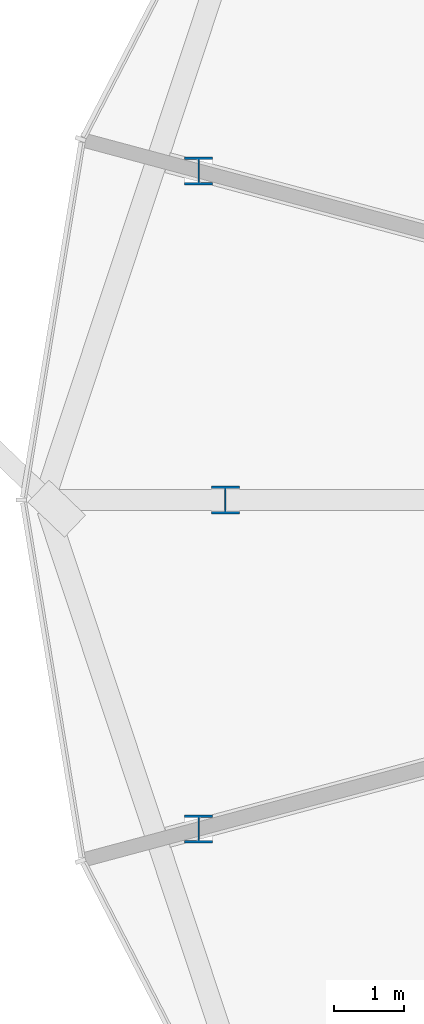
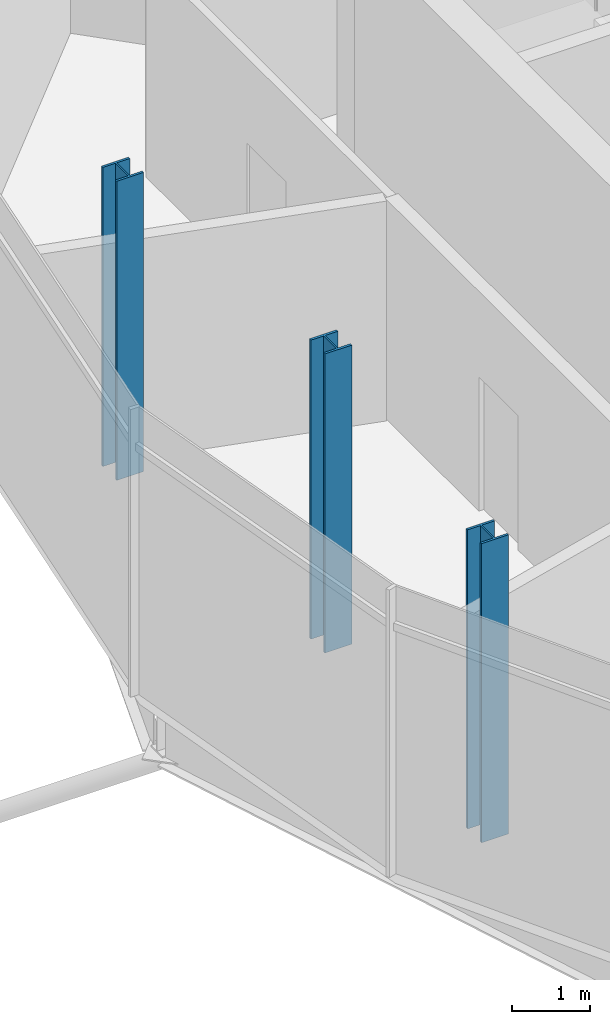
# One storey, part 1 of 31: 3 columns.
"""IFC4 building model written with IfcOpenShell, lengths in metres."""

from ifc_helpers import new_model, si_unit, direction, frame, origin, origin_2d, place, context, subcontext, project, spatial, i_section, extrude, material, material_profile, profile_set, type_object, element, save


model = new_model("IFC4")

# Units and contexts
model_context = context("Model", 3, precision=1e-05, world=origin(), true_north=direction((0.0, 1.0)))
body_context = subcontext(model_context, "Body", "Model", "MODEL_VIEW")
ifc_project = project(units=[si_unit("LENGTHUNIT", "METRE"), si_unit("AREAUNIT", "SQUARE_METRE"), si_unit("VOLUMEUNIT", "CUBIC_METRE"), si_unit("PLANEANGLEUNIT", "RADIAN"), si_unit("MASSUNIT", "GRAM", prefix="KILO")], contexts=[model_context])

# Site, building, storey
site_placement = place(None, origin())
site = spatial("IfcSite", under=ifc_project, at=site_placement, CompositionType="ELEMENT")
building_placement = place(site_placement, origin())
building = spatial("IfcBuilding", under=site, at=building_placement, Name="Rimbun Link Towers", CompositionType="ELEMENT")
storey_placement = place(building_placement, frame((0.0, 0.0, 263.10009765625)))
storey = spatial("IfcBuildingStorey", under=building, at=storey_placement, Name="L64", CompositionType="ELEMENT", Elevation=263.10009765625)

# Columns
ifc_material = material(Name="Steel S355J2", Category="steel")
ifc_material_profile = material_profile(ifc_material, i_section(OverallWidth=0.39892578125, OverallDepth=0.3935546875, WebThickness=0.022705078125, FlangeThickness=0.03662109375, at=origin_2d()), Name="UC 356x406x287")
ifc_profile_set = profile_set([ifc_material_profile], Name="Steel S355J2")
column_type = type_object("IfcColumnType", Name="UC 356x406x287", PredefinedType="COLUMN", material=ifc_profile_set)
for number, where, z_axis, x_axis, name in (
    (1, (-49.197998046875, 4.67529296875, -0.18017578125), (0.0, 0.0, 1.0), (1.0, 0.0, 0.0), "Crease post T1 L64 11"),
    (2, (-48.818603515625, 0.0, -0.18017578125), (0.0, 0.0, 1.0), (1.0, 0.0, 0.0), "Crease post T1 L64 12"),
    (3, (-49.197998046875, -4.67529296875, -0.18017578125), (0.0, 0.0, 1.0), (1.0, 0.0, 0.0), "Crease post T1 L64 13"),
):
    element("IfcColumn", number, at=place(storey_placement, frame(where, z_axis=z_axis, x_axis=x_axis)), inside=storey, type_object=column_type, Name=name, PredefinedType="COLUMN", context=body_context, shape_type="SweptSolid", body=[
        extrude(i_section(OverallWidth=0.39892578125, OverallDepth=0.3935546875, WebThickness=0.022705078125, FlangeThickness=0.03662109375, at=origin_2d()), origin(), (0.0, 0.0, 1.0), 4.68017578125),
    ])

save(model, "model.ifc")
